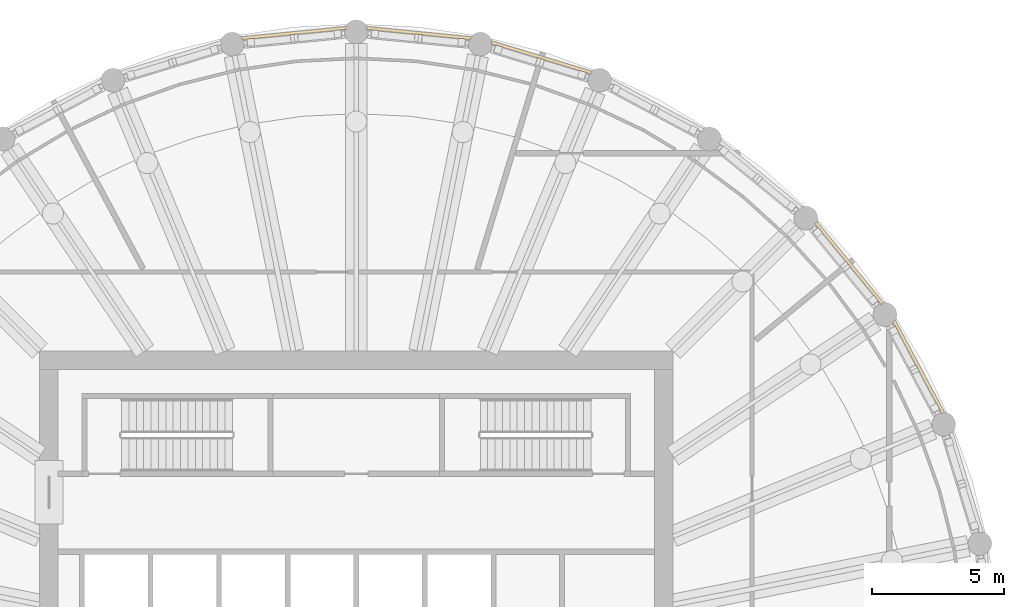
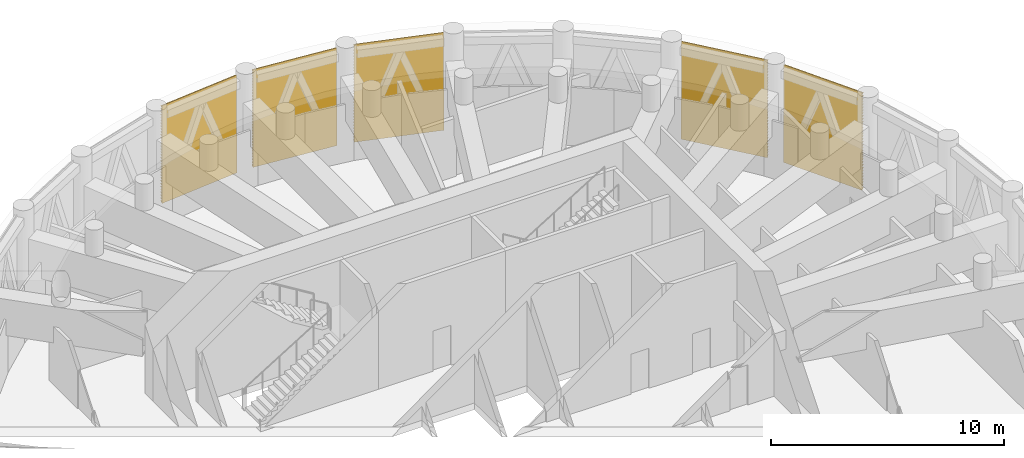
# One storey, part 18 of 19: 5 shading devices, 5 elements without a shape of their own.
"""IFC4 building model written with IfcOpenShell, lengths in metres."""

from ifc_helpers import new_model, si_unit, direction, frame, origin, place, context, subcontext, project, spatial, polyline, outline, extrude, material, material_profile, profile_set, type_object, element, aggregate, save


model = new_model("IFC4")

# Units and contexts
model_context = context("Model", 3, precision=1e-05, world=origin(), true_north=direction((0.0, 1.0)))
body_context = subcontext(model_context, "Body", "Model", "MODEL_VIEW")
ifc_project = project(units=[si_unit("LENGTHUNIT", "METRE"), si_unit("AREAUNIT", "SQUARE_METRE"), si_unit("VOLUMEUNIT", "CUBIC_METRE"), si_unit("PLANEANGLEUNIT", "RADIAN"), si_unit("MASSUNIT", "GRAM", prefix="KILO")], contexts=[model_context])

# Site, building, storey
site_placement = place(None, origin())
site = spatial("IfcSite", under=ifc_project, at=site_placement, CompositionType="ELEMENT")
building_placement = place(site_placement, origin())
building = spatial("IfcBuilding", under=site, at=building_placement, Name="Corvane Civic Tower", CompositionType="ELEMENT")
storey_placement = place(building_placement, frame((0.0, 0.0, 319.0)))
storey = spatial("IfcBuildingStorey", under=building, at=storey_placement, Name="L76", CompositionType="ELEMENT", Elevation=319.0)

# Curtain wall, shading device
ifc_material_1 = material(Name="Anodised aluminium bronze", Category="aluminium")
curtain_wall_type = type_object("IfcCurtainWallType", Name="TOWER CW-LV LOUVRE SCREEN WALL", PredefinedType="NOTDEFINED", material=ifc_material_1)
curtain_wall_1_placement = place(storey_placement, origin())
curtain_wall_1 = element("IfcCurtainWall", 1, at=curtain_wall_1_placement, inside=storey, type_object=curtain_wall_type, Name="Louvre screen wall CW-LV L76 bay 01", PredefinedType="NOTDEFINED")
ifc_material_2 = material(Name="Anodised aluminium bronze", Category="aluminium")
ifc_material_profile = material_profile(ifc_material_2, outline(polyline([(-0.06005859375, -2.56494140625), (-0.0400390625, -2.56494140625), (0.06005859375, -2.492919921875), (0.06005859375, -2.472900390625), (-0.0400390625, -2.544921875), (-0.0400390625, -2.4140625), (0.06005859375, -2.342041015625), (0.06005859375, -2.322021484375), (-0.0400390625, -2.39404296875), (-0.0400390625, -2.26318359375), (0.06005859375, -2.191162109375), (0.06005859375, -2.171142578125), (-0.0400390625, -2.2431640625), (-0.0400390625, -2.1123046875), (0.06005859375, -2.040283203125), (0.06005859375, -2.0205078125), (-0.0400390625, -2.09228515625), (-0.0400390625, -1.96142578125), (0.06005859375, -1.889404296875), (0.06005859375, -1.869384765625), (-0.0400390625, -1.94140625), (-0.0400390625, -1.810546875), (0.06005859375, -1.738525390625), (0.06005859375, -1.718505859375), (-0.0400390625, -1.79052734375), (-0.0400390625, -1.65966796875), (0.06005859375, -1.587646484375), (0.06005859375, -1.567626953125), (-0.0400390625, -1.6396484375), (-0.0400390625, -1.5087890625), (0.06005859375, -1.436767578125), (0.06005859375, -1.416748046875), (-0.0400390625, -1.48876953125), (-0.0400390625, -1.35791015625), (0.06005859375, -1.285888671875), (0.06005859375, -1.265869140625), (-0.0400390625, -1.337890625), (-0.0400390625, -1.20703125), (0.06005859375, -1.135009765625), (0.06005859375, -1.114990234375), (-0.0400390625, -1.18701171875), (-0.0400390625, -1.05615234375), (0.06005859375, -0.984130859375), (0.06005859375, -0.964111328125), (-0.0400390625, -1.0361328125), (-0.0400390625, -0.9052734375), (0.06005859375, -0.833251953125), (0.06005859375, -0.813232421875), (-0.0400390625, -0.88525390625), (-0.0400390625, -0.75439453125), (0.06005859375, -0.682373046875), (0.06005859375, -0.662353515625), (-0.0400390625, -0.734375), (-0.0400390625, -0.603515625), (0.06005859375, -0.531494140625), (0.06005859375, -0.511474609375), (-0.0400390625, -0.58349609375), (-0.0400390625, -0.45263671875), (0.06005859375, -0.380615234375), (0.06005859375, -0.360595703125), (-0.0400390625, -0.4326171875), (-0.0400390625, -0.3017578125), (0.06005859375, -0.229736328125), (0.06005859375, -0.209716796875), (-0.0400390625, -0.28173828125), (-0.0400390625, -0.15087890625), (0.06005859375, -0.078857421875), (0.06005859375, -0.058837890625), (-0.0400390625, -0.130859375), (-0.0400390625, 0.0), (0.06005859375, 0.072021484375), (0.06005859375, 0.092041015625), (-0.0400390625, 0.02001953125), (-0.0400390625, 0.15087890625), (0.06005859375, 0.222900390625), (0.06005859375, 0.242919921875), (-0.0400390625, 0.1708984375), (-0.0400390625, 0.3017578125), (0.06005859375, 0.373779296875), (0.06005859375, 0.393798828125), (-0.0400390625, 0.32177734375), (-0.0400390625, 0.45263671875), (0.06005859375, 0.524658203125), (0.06005859375, 0.544677734375), (-0.0400390625, 0.47265625), (-0.0400390625, 0.603515625), (0.06005859375, 0.675537109375), (0.06005859375, 0.695556640625), (-0.0400390625, 0.62353515625), (-0.0400390625, 0.75439453125), (0.06005859375, 0.826416015625), (0.06005859375, 0.846435546875), (-0.0400390625, 0.7744140625), (-0.0400390625, 0.9052734375), (0.06005859375, 0.977294921875), (0.06005859375, 0.997314453125), (-0.0400390625, 0.92529296875), (-0.0400390625, 1.05615234375), (0.06005859375, 1.128173828125), (0.06005859375, 1.148193359375), (-0.0400390625, 1.076171875), (-0.0400390625, 1.20703125), (0.06005859375, 1.279052734375), (0.06005859375, 1.299072265625), (-0.0400390625, 1.22705078125), (-0.0400390625, 1.35791015625), (0.06005859375, 1.429931640625), (0.06005859375, 1.449951171875), (-0.0400390625, 1.3779296875), (-0.0400390625, 1.5087890625), (0.06005859375, 1.580810546875), (0.06005859375, 1.600830078125), (-0.0400390625, 1.52880859375), (-0.0400390625, 1.65966796875), (0.06005859375, 1.731689453125), (0.06005859375, 1.751708984375), (-0.0400390625, 1.6796875), (-0.0400390625, 1.810546875), (0.06005859375, 1.882568359375), (0.06005859375, 1.902587890625), (-0.0400390625, 1.83056640625), (-0.0400390625, 1.96142578125), (0.06005859375, 2.033447265625), (0.06005859375, 2.053466796875), (-0.0400390625, 1.9814453125), (-0.0400390625, 2.1123046875), (0.06005859375, 2.184326171875), (0.06005859375, 2.204345703125), (-0.0400390625, 2.13232421875), (-0.0400390625, 2.26318359375), (0.06005859375, 2.335205078125), (0.06005859375, 2.355224609375), (-0.0400390625, 2.283203125), (-0.0400390625, 2.4140625), (0.06005859375, 2.486083984375), (0.06005859375, 2.506103515625), (-0.0400390625, 2.43408203125), (-0.0400390625, 2.56494140625), (-0.06005859375, 2.56494140625), (-0.06005859375, -2.56494140625)])), Name="TOWER LOUVRE BANK 5130 BRONZE")
ifc_profile_set = profile_set([ifc_material_profile], Name="Anodised aluminium bronze")
shading_device_type = type_object("IfcShadingDeviceType", Name="TOWER LOUVRE BANK 5130 BRONZE", PredefinedType="USERDEFINED", material=ifc_profile_set)
shading_device_1_placement = place(storey_placement, frame((0.3984375, 24.24072265625, 2.68505859375), z_axis=(0.995186866683, -0.097995409999, 0.0), x_axis=(0.097995409999, 0.995186866683, 0.0)))
shading_device_1 = element("IfcShadingDevice", 2, at=shading_device_1_placement, type_object=shading_device_type, Name="Louvre bank L76 01.1", ObjectType="LOUVRE", PredefinedType="USERDEFINED", context=body_context, shape_type="SweptSolid", body=[
    extrude(outline(polyline([(-0.06005859375, -2.56494140625), (-0.0400390625, -2.56494140625), (0.06005859375, -2.492919921875), (0.06005859375, -2.472900390625), (-0.0400390625, -2.544921875), (-0.0400390625, -2.4140625), (0.06005859375, -2.342041015625), (0.06005859375, -2.322021484375), (-0.0400390625, -2.39404296875), (-0.0400390625, -2.26318359375), (0.06005859375, -2.191162109375), (0.06005859375, -2.171142578125), (-0.0400390625, -2.2431640625), (-0.0400390625, -2.1123046875), (0.06005859375, -2.040283203125), (0.06005859375, -2.0205078125), (-0.0400390625, -2.09228515625), (-0.0400390625, -1.96142578125), (0.06005859375, -1.889404296875), (0.06005859375, -1.869384765625), (-0.0400390625, -1.94140625), (-0.0400390625, -1.810546875), (0.06005859375, -1.738525390625), (0.06005859375, -1.718505859375), (-0.0400390625, -1.79052734375), (-0.0400390625, -1.65966796875), (0.06005859375, -1.587646484375), (0.06005859375, -1.567626953125), (-0.0400390625, -1.6396484375), (-0.0400390625, -1.5087890625), (0.06005859375, -1.436767578125), (0.06005859375, -1.416748046875), (-0.0400390625, -1.48876953125), (-0.0400390625, -1.35791015625), (0.06005859375, -1.285888671875), (0.06005859375, -1.265869140625), (-0.0400390625, -1.337890625), (-0.0400390625, -1.20703125), (0.06005859375, -1.135009765625), (0.06005859375, -1.114990234375), (-0.0400390625, -1.18701171875), (-0.0400390625, -1.05615234375), (0.06005859375, -0.984130859375), (0.06005859375, -0.964111328125), (-0.0400390625, -1.0361328125), (-0.0400390625, -0.9052734375), (0.06005859375, -0.833251953125), (0.06005859375, -0.813232421875), (-0.0400390625, -0.88525390625), (-0.0400390625, -0.75439453125), (0.06005859375, -0.682373046875), (0.06005859375, -0.662353515625), (-0.0400390625, -0.734375), (-0.0400390625, -0.603515625), (0.06005859375, -0.531494140625), (0.06005859375, -0.511474609375), (-0.0400390625, -0.58349609375), (-0.0400390625, -0.45263671875), (0.06005859375, -0.380615234375), (0.06005859375, -0.360595703125), (-0.0400390625, -0.4326171875), (-0.0400390625, -0.3017578125), (0.06005859375, -0.229736328125), (0.06005859375, -0.209716796875), (-0.0400390625, -0.28173828125), (-0.0400390625, -0.15087890625), (0.06005859375, -0.078857421875), (0.06005859375, -0.058837890625), (-0.0400390625, -0.130859375), (-0.0400390625, 0.0), (0.06005859375, 0.072021484375), (0.06005859375, 0.092041015625), (-0.0400390625, 0.02001953125), (-0.0400390625, 0.15087890625), (0.06005859375, 0.222900390625), (0.06005859375, 0.242919921875), (-0.0400390625, 0.1708984375), (-0.0400390625, 0.3017578125), (0.06005859375, 0.373779296875), (0.06005859375, 0.393798828125), (-0.0400390625, 0.32177734375), (-0.0400390625, 0.45263671875), (0.06005859375, 0.524658203125), (0.06005859375, 0.544677734375), (-0.0400390625, 0.47265625), (-0.0400390625, 0.603515625), (0.06005859375, 0.675537109375), (0.06005859375, 0.695556640625), (-0.0400390625, 0.62353515625), (-0.0400390625, 0.75439453125), (0.06005859375, 0.826416015625), (0.06005859375, 0.846435546875), (-0.0400390625, 0.7744140625), (-0.0400390625, 0.9052734375), (0.06005859375, 0.977294921875), (0.06005859375, 0.997314453125), (-0.0400390625, 0.92529296875), (-0.0400390625, 1.05615234375), (0.06005859375, 1.128173828125), (0.06005859375, 1.148193359375), (-0.0400390625, 1.076171875), (-0.0400390625, 1.20703125), (0.06005859375, 1.279052734375), (0.06005859375, 1.299072265625), (-0.0400390625, 1.22705078125), (-0.0400390625, 1.35791015625), (0.06005859375, 1.429931640625), (0.06005859375, 1.449951171875), (-0.0400390625, 1.3779296875), (-0.0400390625, 1.5087890625), (0.06005859375, 1.580810546875), (0.06005859375, 1.600830078125), (-0.0400390625, 1.52880859375), (-0.0400390625, 1.65966796875), (0.06005859375, 1.731689453125), (0.06005859375, 1.751708984375), (-0.0400390625, 1.6796875), (-0.0400390625, 1.810546875), (0.06005859375, 1.882568359375), (0.06005859375, 1.902587890625), (-0.0400390625, 1.83056640625), (-0.0400390625, 1.96142578125), (0.06005859375, 2.033447265625), (0.06005859375, 2.053466796875), (-0.0400390625, 1.9814453125), (-0.0400390625, 2.1123046875), (0.06005859375, 2.184326171875), (0.06005859375, 2.204345703125), (-0.0400390625, 2.13232421875), (-0.0400390625, 2.26318359375), (0.06005859375, 2.335205078125), (0.06005859375, 2.355224609375), (-0.0400390625, 2.283203125), (-0.0400390625, 2.4140625), (0.06005859375, 2.486083984375), (0.06005859375, 2.506103515625), (-0.0400390625, 2.43408203125), (-0.0400390625, 2.56494140625), (-0.06005859375, 2.56494140625), (-0.06005859375, -2.56494140625)])), origin(), (0.0, 0.0, 1.0), 3.958740234375),
])
aggregate(curtain_wall_1, [shading_device_1])

curtain_wall_2_placement = place(storey_placement, origin())
curtain_wall_2 = element("IfcCurtainWall", 3, at=curtain_wall_2_placement, inside=storey, type_object=curtain_wall_type, Name="Louvre screen wall CW-LV L76 bay 02", PredefinedType="NOTDEFINED")
shading_device_2_placement = place(storey_placement, frame((5.119873046875, 23.697265625, 2.68505859375), z_axis=(0.956946054205, -0.290265825309, 0.0), x_axis=(0.290265825309, 0.956946054205, 0.0)))
shading_device_2 = element("IfcShadingDevice", 4, at=shading_device_2_placement, type_object=shading_device_type, Name="Louvre bank L76 02.1", ObjectType="LOUVRE", PredefinedType="USERDEFINED", context=body_context, shape_type="SweptSolid", body=[
    extrude(outline(polyline([(-0.06005859375, -2.56494140625), (-0.0400390625, -2.56494140625), (0.06005859375, -2.492919921875), (0.06005859375, -2.472900390625), (-0.0400390625, -2.544921875), (-0.0400390625, -2.4140625), (0.06005859375, -2.342041015625), (0.06005859375, -2.322021484375), (-0.0400390625, -2.39404296875), (-0.0400390625, -2.26318359375), (0.06005859375, -2.191162109375), (0.06005859375, -2.171142578125), (-0.0400390625, -2.2431640625), (-0.0400390625, -2.1123046875), (0.06005859375, -2.040283203125), (0.06005859375, -2.0205078125), (-0.0400390625, -2.09228515625), (-0.0400390625, -1.96142578125), (0.06005859375, -1.889404296875), (0.06005859375, -1.869384765625), (-0.0400390625, -1.94140625), (-0.0400390625, -1.810546875), (0.06005859375, -1.738525390625), (0.06005859375, -1.718505859375), (-0.0400390625, -1.79052734375), (-0.0400390625, -1.65966796875), (0.06005859375, -1.587646484375), (0.06005859375, -1.567626953125), (-0.0400390625, -1.6396484375), (-0.0400390625, -1.5087890625), (0.06005859375, -1.436767578125), (0.06005859375, -1.416748046875), (-0.0400390625, -1.48876953125), (-0.0400390625, -1.35791015625), (0.06005859375, -1.285888671875), (0.06005859375, -1.265869140625), (-0.0400390625, -1.337890625), (-0.0400390625, -1.20703125), (0.06005859375, -1.135009765625), (0.06005859375, -1.114990234375), (-0.0400390625, -1.18701171875), (-0.0400390625, -1.05615234375), (0.06005859375, -0.984130859375), (0.06005859375, -0.964111328125), (-0.0400390625, -1.0361328125), (-0.0400390625, -0.9052734375), (0.06005859375, -0.833251953125), (0.06005859375, -0.813232421875), (-0.0400390625, -0.88525390625), (-0.0400390625, -0.75439453125), (0.06005859375, -0.682373046875), (0.06005859375, -0.662353515625), (-0.0400390625, -0.734375), (-0.0400390625, -0.603515625), (0.06005859375, -0.531494140625), (0.06005859375, -0.511474609375), (-0.0400390625, -0.58349609375), (-0.0400390625, -0.45263671875), (0.06005859375, -0.380615234375), (0.06005859375, -0.360595703125), (-0.0400390625, -0.4326171875), (-0.0400390625, -0.3017578125), (0.06005859375, -0.229736328125), (0.06005859375, -0.209716796875), (-0.0400390625, -0.28173828125), (-0.0400390625, -0.15087890625), (0.06005859375, -0.078857421875), (0.06005859375, -0.058837890625), (-0.0400390625, -0.130859375), (-0.0400390625, 0.0), (0.06005859375, 0.072021484375), (0.06005859375, 0.092041015625), (-0.0400390625, 0.02001953125), (-0.0400390625, 0.15087890625), (0.06005859375, 0.222900390625), (0.06005859375, 0.242919921875), (-0.0400390625, 0.1708984375), (-0.0400390625, 0.3017578125), (0.06005859375, 0.373779296875), (0.06005859375, 0.393798828125), (-0.0400390625, 0.32177734375), (-0.0400390625, 0.45263671875), (0.06005859375, 0.524658203125), (0.06005859375, 0.544677734375), (-0.0400390625, 0.47265625), (-0.0400390625, 0.603515625), (0.06005859375, 0.675537109375), (0.06005859375, 0.695556640625), (-0.0400390625, 0.62353515625), (-0.0400390625, 0.75439453125), (0.06005859375, 0.826416015625), (0.06005859375, 0.846435546875), (-0.0400390625, 0.7744140625), (-0.0400390625, 0.9052734375), (0.06005859375, 0.977294921875), (0.06005859375, 0.997314453125), (-0.0400390625, 0.92529296875), (-0.0400390625, 1.05615234375), (0.06005859375, 1.128173828125), (0.06005859375, 1.148193359375), (-0.0400390625, 1.076171875), (-0.0400390625, 1.20703125), (0.06005859375, 1.279052734375), (0.06005859375, 1.299072265625), (-0.0400390625, 1.22705078125), (-0.0400390625, 1.35791015625), (0.06005859375, 1.429931640625), (0.06005859375, 1.449951171875), (-0.0400390625, 1.3779296875), (-0.0400390625, 1.5087890625), (0.06005859375, 1.580810546875), (0.06005859375, 1.600830078125), (-0.0400390625, 1.52880859375), (-0.0400390625, 1.65966796875), (0.06005859375, 1.731689453125), (0.06005859375, 1.751708984375), (-0.0400390625, 1.6796875), (-0.0400390625, 1.810546875), (0.06005859375, 1.882568359375), (0.06005859375, 1.902587890625), (-0.0400390625, 1.83056640625), (-0.0400390625, 1.96142578125), (0.06005859375, 2.033447265625), (0.06005859375, 2.053466796875), (-0.0400390625, 1.9814453125), (-0.0400390625, 2.1123046875), (0.06005859375, 2.184326171875), (0.06005859375, 2.204345703125), (-0.0400390625, 2.13232421875), (-0.0400390625, 2.26318359375), (0.06005859375, 2.335205078125), (0.06005859375, 2.355224609375), (-0.0400390625, 2.283203125), (-0.0400390625, 2.4140625), (0.06005859375, 2.486083984375), (0.06005859375, 2.506103515625), (-0.0400390625, 2.43408203125), (-0.0400390625, 2.56494140625), (-0.06005859375, 2.56494140625), (-0.06005859375, -2.56494140625)])), origin(), (0.0, 0.0, 1.0), 3.958984375),
])
aggregate(curtain_wall_2, [shading_device_2])

curtain_wall_3_placement = place(storey_placement, origin())
curtain_wall_3 = element("IfcCurtainWall", 5, at=curtain_wall_3_placement, inside=storey, type_object=curtain_wall_type, Name="Louvre screen wall CW-LV L76 bay 05", PredefinedType="NOTDEFINED")
shading_device_3_placement = place(storey_placement, frame((17.422607421875, 16.85888671875, 2.68505859375), z_axis=(0.634415838373, -0.772991943051, 0.0), x_axis=(0.772991943051, 0.634415838373, 0.0)))
shading_device_3 = element("IfcShadingDevice", 6, at=shading_device_3_placement, type_object=shading_device_type, Name="Louvre bank L76 05.1", ObjectType="LOUVRE", PredefinedType="USERDEFINED", context=body_context, shape_type="SweptSolid", body=[
    extrude(outline(polyline([(-0.06005859375, -2.56494140625), (-0.0400390625, -2.56494140625), (0.06005859375, -2.492919921875), (0.06005859375, -2.472900390625), (-0.0400390625, -2.544921875), (-0.0400390625, -2.4140625), (0.06005859375, -2.342041015625), (0.06005859375, -2.322021484375), (-0.0400390625, -2.39404296875), (-0.0400390625, -2.26318359375), (0.06005859375, -2.191162109375), (0.06005859375, -2.171142578125), (-0.0400390625, -2.2431640625), (-0.0400390625, -2.1123046875), (0.06005859375, -2.040283203125), (0.06005859375, -2.0205078125), (-0.0400390625, -2.09228515625), (-0.0400390625, -1.96142578125), (0.06005859375, -1.889404296875), (0.06005859375, -1.869384765625), (-0.0400390625, -1.94140625), (-0.0400390625, -1.810546875), (0.06005859375, -1.738525390625), (0.06005859375, -1.718505859375), (-0.0400390625, -1.79052734375), (-0.0400390625, -1.65966796875), (0.06005859375, -1.587646484375), (0.06005859375, -1.567626953125), (-0.0400390625, -1.6396484375), (-0.0400390625, -1.5087890625), (0.06005859375, -1.436767578125), (0.06005859375, -1.416748046875), (-0.0400390625, -1.48876953125), (-0.0400390625, -1.35791015625), (0.06005859375, -1.285888671875), (0.06005859375, -1.265869140625), (-0.0400390625, -1.337890625), (-0.0400390625, -1.20703125), (0.06005859375, -1.135009765625), (0.06005859375, -1.114990234375), (-0.0400390625, -1.18701171875), (-0.0400390625, -1.05615234375), (0.06005859375, -0.984130859375), (0.06005859375, -0.964111328125), (-0.0400390625, -1.0361328125), (-0.0400390625, -0.9052734375), (0.06005859375, -0.833251953125), (0.06005859375, -0.813232421875), (-0.0400390625, -0.88525390625), (-0.0400390625, -0.75439453125), (0.06005859375, -0.682373046875), (0.06005859375, -0.662353515625), (-0.0400390625, -0.734375), (-0.0400390625, -0.603515625), (0.06005859375, -0.531494140625), (0.06005859375, -0.511474609375), (-0.0400390625, -0.58349609375), (-0.0400390625, -0.45263671875), (0.06005859375, -0.380615234375), (0.06005859375, -0.360595703125), (-0.0400390625, -0.4326171875), (-0.0400390625, -0.3017578125), (0.06005859375, -0.229736328125), (0.06005859375, -0.209716796875), (-0.0400390625, -0.28173828125), (-0.0400390625, -0.15087890625), (0.06005859375, -0.078857421875), (0.06005859375, -0.058837890625), (-0.0400390625, -0.130859375), (-0.0400390625, 0.0), (0.06005859375, 0.072021484375), (0.06005859375, 0.092041015625), (-0.0400390625, 0.02001953125), (-0.0400390625, 0.15087890625), (0.06005859375, 0.222900390625), (0.06005859375, 0.242919921875), (-0.0400390625, 0.1708984375), (-0.0400390625, 0.3017578125), (0.06005859375, 0.373779296875), (0.06005859375, 0.393798828125), (-0.0400390625, 0.32177734375), (-0.0400390625, 0.45263671875), (0.06005859375, 0.524658203125), (0.06005859375, 0.544677734375), (-0.0400390625, 0.47265625), (-0.0400390625, 0.603515625), (0.06005859375, 0.675537109375), (0.06005859375, 0.695556640625), (-0.0400390625, 0.62353515625), (-0.0400390625, 0.75439453125), (0.06005859375, 0.826416015625), (0.06005859375, 0.846435546875), (-0.0400390625, 0.7744140625), (-0.0400390625, 0.9052734375), (0.06005859375, 0.977294921875), (0.06005859375, 0.997314453125), (-0.0400390625, 0.92529296875), (-0.0400390625, 1.05615234375), (0.06005859375, 1.128173828125), (0.06005859375, 1.148193359375), (-0.0400390625, 1.076171875), (-0.0400390625, 1.20703125), (0.06005859375, 1.279052734375), (0.06005859375, 1.299072265625), (-0.0400390625, 1.22705078125), (-0.0400390625, 1.35791015625), (0.06005859375, 1.429931640625), (0.06005859375, 1.449951171875), (-0.0400390625, 1.3779296875), (-0.0400390625, 1.5087890625), (0.06005859375, 1.580810546875), (0.06005859375, 1.600830078125), (-0.0400390625, 1.52880859375), (-0.0400390625, 1.65966796875), (0.06005859375, 1.731689453125), (0.06005859375, 1.751708984375), (-0.0400390625, 1.6796875), (-0.0400390625, 1.810546875), (0.06005859375, 1.882568359375), (0.06005859375, 1.902587890625), (-0.0400390625, 1.83056640625), (-0.0400390625, 1.96142578125), (0.06005859375, 2.033447265625), (0.06005859375, 2.053466796875), (-0.0400390625, 1.9814453125), (-0.0400390625, 2.1123046875), (0.06005859375, 2.184326171875), (0.06005859375, 2.204345703125), (-0.0400390625, 2.13232421875), (-0.0400390625, 2.26318359375), (0.06005859375, 2.335205078125), (0.06005859375, 2.355224609375), (-0.0400390625, 2.283203125), (-0.0400390625, 2.4140625), (0.06005859375, 2.486083984375), (0.06005859375, 2.506103515625), (-0.0400390625, 2.43408203125), (-0.0400390625, 2.56494140625), (-0.06005859375, 2.56494140625), (-0.06005859375, -2.56494140625)])), origin(), (0.0, 0.0, 1.0), 3.958740234375),
])
aggregate(curtain_wall_3, [shading_device_3])

curtain_wall_4_placement = place(storey_placement, origin())
curtain_wall_4 = element("IfcCurtainWall", 7, at=curtain_wall_4_placement, inside=storey, type_object=curtain_wall_type, Name="Louvre screen wall CW-LV L76 bay 06", PredefinedType="NOTDEFINED")
shading_device_4_placement = place(storey_placement, frame((20.376708984375, 13.135986328125, 2.68505859375), z_axis=(0.471468241052, -0.881883040816, 0.0), x_axis=(0.881883040816, 0.471468241052, 0.0)))
shading_device_4 = element("IfcShadingDevice", 8, at=shading_device_4_placement, type_object=shading_device_type, Name="Louvre bank L76 06.1", ObjectType="LOUVRE", PredefinedType="USERDEFINED", context=body_context, shape_type="SweptSolid", body=[
    extrude(outline(polyline([(-0.06005859375, -2.56494140625), (-0.0400390625, -2.56494140625), (0.06005859375, -2.492919921875), (0.06005859375, -2.472900390625), (-0.0400390625, -2.544921875), (-0.0400390625, -2.4140625), (0.06005859375, -2.342041015625), (0.06005859375, -2.322021484375), (-0.0400390625, -2.39404296875), (-0.0400390625, -2.26318359375), (0.06005859375, -2.191162109375), (0.06005859375, -2.171142578125), (-0.0400390625, -2.2431640625), (-0.0400390625, -2.1123046875), (0.06005859375, -2.040283203125), (0.06005859375, -2.0205078125), (-0.0400390625, -2.09228515625), (-0.0400390625, -1.96142578125), (0.06005859375, -1.889404296875), (0.06005859375, -1.869384765625), (-0.0400390625, -1.94140625), (-0.0400390625, -1.810546875), (0.06005859375, -1.738525390625), (0.06005859375, -1.718505859375), (-0.0400390625, -1.79052734375), (-0.0400390625, -1.65966796875), (0.06005859375, -1.587646484375), (0.06005859375, -1.567626953125), (-0.0400390625, -1.6396484375), (-0.0400390625, -1.5087890625), (0.06005859375, -1.436767578125), (0.06005859375, -1.416748046875), (-0.0400390625, -1.48876953125), (-0.0400390625, -1.35791015625), (0.06005859375, -1.285888671875), (0.06005859375, -1.265869140625), (-0.0400390625, -1.337890625), (-0.0400390625, -1.20703125), (0.06005859375, -1.135009765625), (0.06005859375, -1.114990234375), (-0.0400390625, -1.18701171875), (-0.0400390625, -1.05615234375), (0.06005859375, -0.984130859375), (0.06005859375, -0.964111328125), (-0.0400390625, -1.0361328125), (-0.0400390625, -0.9052734375), (0.06005859375, -0.833251953125), (0.06005859375, -0.813232421875), (-0.0400390625, -0.88525390625), (-0.0400390625, -0.75439453125), (0.06005859375, -0.682373046875), (0.06005859375, -0.662353515625), (-0.0400390625, -0.734375), (-0.0400390625, -0.603515625), (0.06005859375, -0.531494140625), (0.06005859375, -0.511474609375), (-0.0400390625, -0.58349609375), (-0.0400390625, -0.45263671875), (0.06005859375, -0.380615234375), (0.06005859375, -0.360595703125), (-0.0400390625, -0.4326171875), (-0.0400390625, -0.3017578125), (0.06005859375, -0.229736328125), (0.06005859375, -0.209716796875), (-0.0400390625, -0.28173828125), (-0.0400390625, -0.15087890625), (0.06005859375, -0.078857421875), (0.06005859375, -0.058837890625), (-0.0400390625, -0.130859375), (-0.0400390625, 0.0), (0.06005859375, 0.072021484375), (0.06005859375, 0.092041015625), (-0.0400390625, 0.02001953125), (-0.0400390625, 0.15087890625), (0.06005859375, 0.222900390625), (0.06005859375, 0.242919921875), (-0.0400390625, 0.1708984375), (-0.0400390625, 0.3017578125), (0.06005859375, 0.373779296875), (0.06005859375, 0.393798828125), (-0.0400390625, 0.32177734375), (-0.0400390625, 0.45263671875), (0.06005859375, 0.524658203125), (0.06005859375, 0.544677734375), (-0.0400390625, 0.47265625), (-0.0400390625, 0.603515625), (0.06005859375, 0.675537109375), (0.06005859375, 0.695556640625), (-0.0400390625, 0.62353515625), (-0.0400390625, 0.75439453125), (0.06005859375, 0.826416015625), (0.06005859375, 0.846435546875), (-0.0400390625, 0.7744140625), (-0.0400390625, 0.9052734375), (0.06005859375, 0.977294921875), (0.06005859375, 0.997314453125), (-0.0400390625, 0.92529296875), (-0.0400390625, 1.05615234375), (0.06005859375, 1.128173828125), (0.06005859375, 1.148193359375), (-0.0400390625, 1.076171875), (-0.0400390625, 1.20703125), (0.06005859375, 1.279052734375), (0.06005859375, 1.299072265625), (-0.0400390625, 1.22705078125), (-0.0400390625, 1.35791015625), (0.06005859375, 1.429931640625), (0.06005859375, 1.449951171875), (-0.0400390625, 1.3779296875), (-0.0400390625, 1.5087890625), (0.06005859375, 1.580810546875), (0.06005859375, 1.600830078125), (-0.0400390625, 1.52880859375), (-0.0400390625, 1.65966796875), (0.06005859375, 1.731689453125), (0.06005859375, 1.751708984375), (-0.0400390625, 1.6796875), (-0.0400390625, 1.810546875), (0.06005859375, 1.882568359375), (0.06005859375, 1.902587890625), (-0.0400390625, 1.83056640625), (-0.0400390625, 1.96142578125), (0.06005859375, 2.033447265625), (0.06005859375, 2.053466796875), (-0.0400390625, 1.9814453125), (-0.0400390625, 2.1123046875), (0.06005859375, 2.184326171875), (0.06005859375, 2.204345703125), (-0.0400390625, 2.13232421875), (-0.0400390625, 2.26318359375), (0.06005859375, 2.335205078125), (0.06005859375, 2.355224609375), (-0.0400390625, 2.283203125), (-0.0400390625, 2.4140625), (0.06005859375, 2.486083984375), (0.06005859375, 2.506103515625), (-0.0400390625, 2.43408203125), (-0.0400390625, 2.56494140625), (-0.06005859375, 2.56494140625), (-0.06005859375, -2.56494140625)])), origin(), (0.0, 0.0, 1.0), 3.958740234375),
])
aggregate(curtain_wall_4, [shading_device_4])

curtain_wall_5_placement = place(storey_placement, origin())
curtain_wall_5 = element("IfcCurtainWall", 9, at=curtain_wall_5_placement, inside=storey, type_object=curtain_wall_type, Name="Louvre screen wall CW-LV L76 bay 32", PredefinedType="NOTDEFINED")
shading_device_5_placement = place(storey_placement, frame((-4.338134765625, 23.852783203125, 2.68505859375), z_axis=(0.995186866683, 0.097995409999, 0.0), x_axis=(-0.097995409999, 0.995186866683, 0.0)))
shading_device_5 = element("IfcShadingDevice", 10, at=shading_device_5_placement, type_object=shading_device_type, Name="Louvre bank L76 32.1", ObjectType="LOUVRE", PredefinedType="USERDEFINED", context=body_context, shape_type="SweptSolid", body=[
    extrude(outline(polyline([(-0.06005859375, -2.56494140625), (-0.0400390625, -2.56494140625), (0.06005859375, -2.492919921875), (0.06005859375, -2.472900390625), (-0.0400390625, -2.544921875), (-0.0400390625, -2.4140625), (0.06005859375, -2.342041015625), (0.06005859375, -2.322021484375), (-0.0400390625, -2.39404296875), (-0.0400390625, -2.26318359375), (0.06005859375, -2.191162109375), (0.06005859375, -2.171142578125), (-0.0400390625, -2.2431640625), (-0.0400390625, -2.1123046875), (0.06005859375, -2.040283203125), (0.06005859375, -2.0205078125), (-0.0400390625, -2.09228515625), (-0.0400390625, -1.96142578125), (0.06005859375, -1.889404296875), (0.06005859375, -1.869384765625), (-0.0400390625, -1.94140625), (-0.0400390625, -1.810546875), (0.06005859375, -1.738525390625), (0.06005859375, -1.718505859375), (-0.0400390625, -1.79052734375), (-0.0400390625, -1.65966796875), (0.06005859375, -1.587646484375), (0.06005859375, -1.567626953125), (-0.0400390625, -1.6396484375), (-0.0400390625, -1.5087890625), (0.06005859375, -1.436767578125), (0.06005859375, -1.416748046875), (-0.0400390625, -1.48876953125), (-0.0400390625, -1.35791015625), (0.06005859375, -1.285888671875), (0.06005859375, -1.265869140625), (-0.0400390625, -1.337890625), (-0.0400390625, -1.20703125), (0.06005859375, -1.135009765625), (0.06005859375, -1.114990234375), (-0.0400390625, -1.18701171875), (-0.0400390625, -1.05615234375), (0.06005859375, -0.984130859375), (0.06005859375, -0.964111328125), (-0.0400390625, -1.0361328125), (-0.0400390625, -0.9052734375), (0.06005859375, -0.833251953125), (0.06005859375, -0.813232421875), (-0.0400390625, -0.88525390625), (-0.0400390625, -0.75439453125), (0.06005859375, -0.682373046875), (0.06005859375, -0.662353515625), (-0.0400390625, -0.734375), (-0.0400390625, -0.603515625), (0.06005859375, -0.531494140625), (0.06005859375, -0.511474609375), (-0.0400390625, -0.58349609375), (-0.0400390625, -0.45263671875), (0.06005859375, -0.380615234375), (0.06005859375, -0.360595703125), (-0.0400390625, -0.4326171875), (-0.0400390625, -0.3017578125), (0.06005859375, -0.229736328125), (0.06005859375, -0.209716796875), (-0.0400390625, -0.28173828125), (-0.0400390625, -0.15087890625), (0.06005859375, -0.078857421875), (0.06005859375, -0.058837890625), (-0.0400390625, -0.130859375), (-0.0400390625, 0.0), (0.06005859375, 0.072021484375), (0.06005859375, 0.092041015625), (-0.0400390625, 0.02001953125), (-0.0400390625, 0.15087890625), (0.06005859375, 0.222900390625), (0.06005859375, 0.242919921875), (-0.0400390625, 0.1708984375), (-0.0400390625, 0.3017578125), (0.06005859375, 0.373779296875), (0.06005859375, 0.393798828125), (-0.0400390625, 0.32177734375), (-0.0400390625, 0.45263671875), (0.06005859375, 0.524658203125), (0.06005859375, 0.544677734375), (-0.0400390625, 0.47265625), (-0.0400390625, 0.603515625), (0.06005859375, 0.675537109375), (0.06005859375, 0.695556640625), (-0.0400390625, 0.62353515625), (-0.0400390625, 0.75439453125), (0.06005859375, 0.826416015625), (0.06005859375, 0.846435546875), (-0.0400390625, 0.7744140625), (-0.0400390625, 0.9052734375), (0.06005859375, 0.977294921875), (0.06005859375, 0.997314453125), (-0.0400390625, 0.92529296875), (-0.0400390625, 1.05615234375), (0.06005859375, 1.128173828125), (0.06005859375, 1.148193359375), (-0.0400390625, 1.076171875), (-0.0400390625, 1.20703125), (0.06005859375, 1.279052734375), (0.06005859375, 1.299072265625), (-0.0400390625, 1.22705078125), (-0.0400390625, 1.35791015625), (0.06005859375, 1.429931640625), (0.06005859375, 1.449951171875), (-0.0400390625, 1.3779296875), (-0.0400390625, 1.5087890625), (0.06005859375, 1.580810546875), (0.06005859375, 1.600830078125), (-0.0400390625, 1.52880859375), (-0.0400390625, 1.65966796875), (0.06005859375, 1.731689453125), (0.06005859375, 1.751708984375), (-0.0400390625, 1.6796875), (-0.0400390625, 1.810546875), (0.06005859375, 1.882568359375), (0.06005859375, 1.902587890625), (-0.0400390625, 1.83056640625), (-0.0400390625, 1.96142578125), (0.06005859375, 2.033447265625), (0.06005859375, 2.053466796875), (-0.0400390625, 1.9814453125), (-0.0400390625, 2.1123046875), (0.06005859375, 2.184326171875), (0.06005859375, 2.204345703125), (-0.0400390625, 2.13232421875), (-0.0400390625, 2.26318359375), (0.06005859375, 2.335205078125), (0.06005859375, 2.355224609375), (-0.0400390625, 2.283203125), (-0.0400390625, 2.4140625), (0.06005859375, 2.486083984375), (0.06005859375, 2.506103515625), (-0.0400390625, 2.43408203125), (-0.0400390625, 2.56494140625), (-0.06005859375, 2.56494140625), (-0.06005859375, -2.56494140625)])), origin(), (0.0, 0.0, 1.0), 3.958740234375),
])
aggregate(curtain_wall_5, [shading_device_5])

save(model, "model.ifc")
